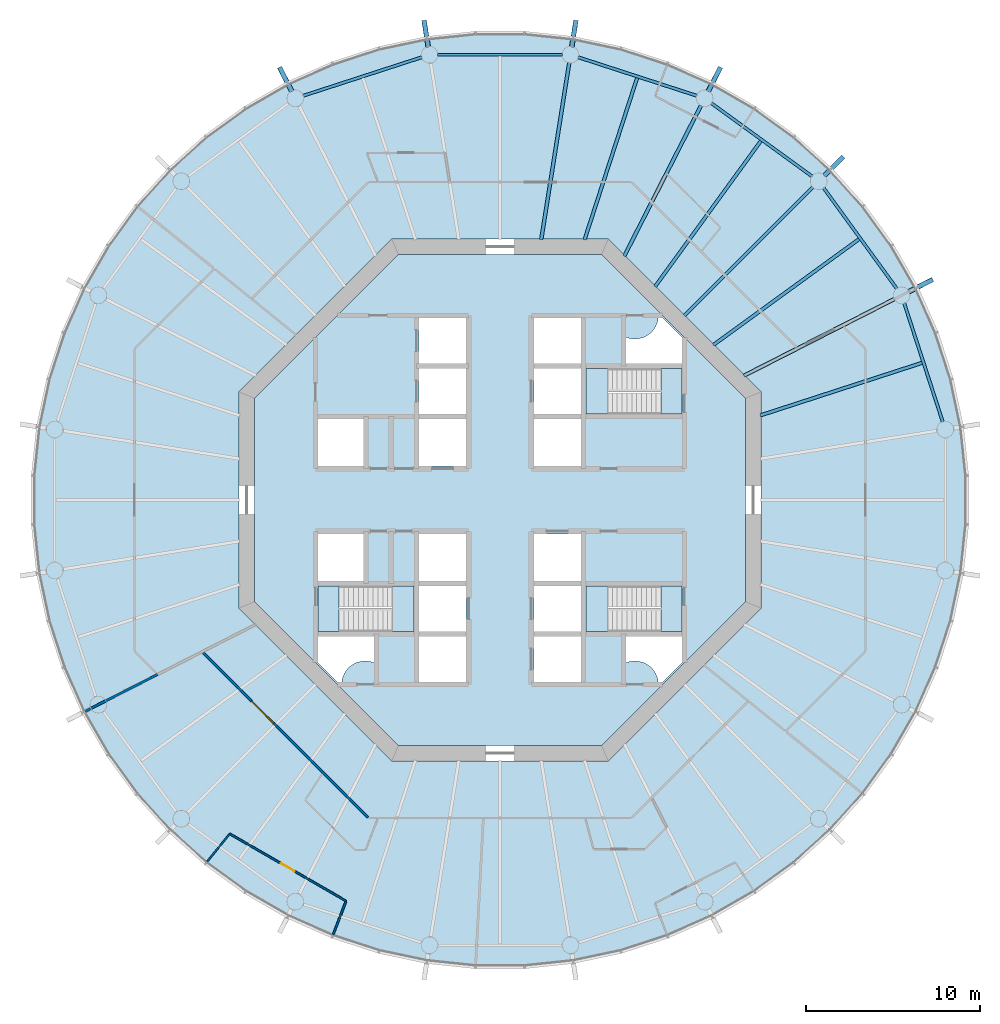
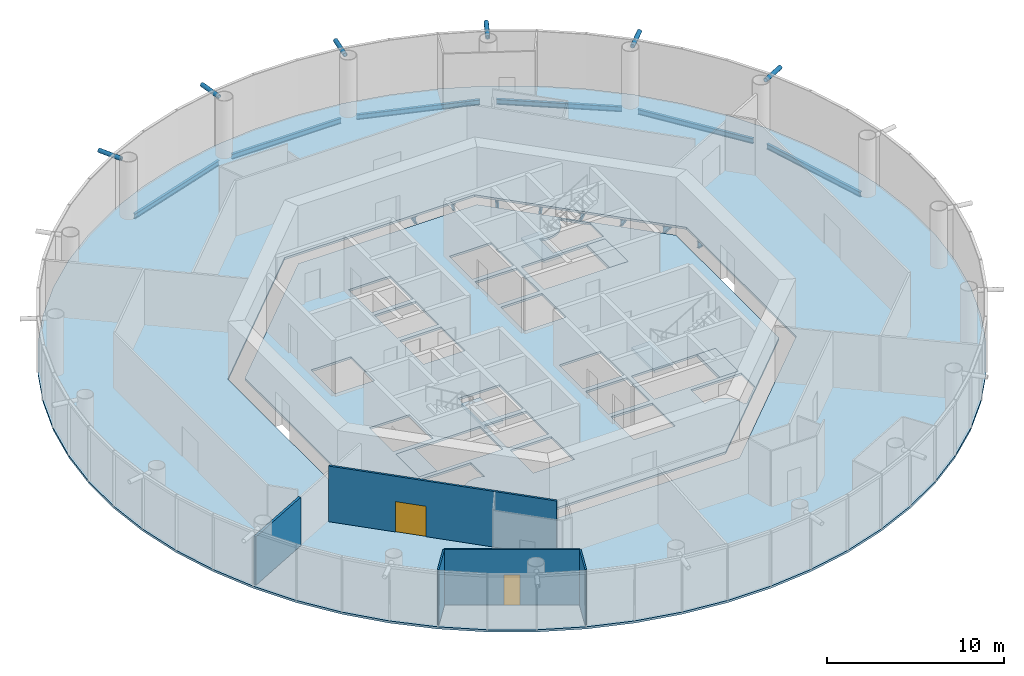
# One storey, part 2 of 13: 14 beams, 8 slabs, 6 members, 5 walls, 2 doors, 2 openings, 3 elements without a shape of their own.
"""IFC4 building model written with IfcOpenShell, lengths in metres."""

from ifc_helpers import new_model, si_unit, direction, frame, frame_2d, origin, origin_2d, place, context, subcontext, project, spatial, polyline, rectangle, circle, hollow_circle, i_section, outline, extrude, material, layer, layer_set, material_profile, profile_set, type_object, element, fill, aggregate, save


model = new_model("IFC4")

# Units and contexts
model_context = context("Model", 3, precision=1e-05, world=origin(), true_north=direction((0.0, 1.0)))
body_context = subcontext(model_context, "Body", "Model", "MODEL_VIEW")
ifc_project = project(units=[si_unit("LENGTHUNIT", "METRE"), si_unit("AREAUNIT", "SQUARE_METRE"), si_unit("VOLUMEUNIT", "CUBIC_METRE"), si_unit("PLANEANGLEUNIT", "RADIAN"), si_unit("MASSUNIT", "GRAM", prefix="KILO")], contexts=[model_context])

# Site, building, storey
site_placement = place(None, origin())
site = spatial("IfcSite", under=ifc_project, at=site_placement, CompositionType="ELEMENT")
building_placement = place(site_placement, origin())
building = spatial("IfcBuilding", under=site, at=building_placement, Name="Entoto Ring Tower", CompositionType="ELEMENT")
storey_placement = place(building_placement, frame((0.0, 0.0, 258.0)))
storey = spatial("IfcBuildingStorey", under=building, at=storey_placement, Name="L59", CompositionType="ELEMENT", Elevation=258.0)

# Members
ifc_material_1 = material(Name="Steel S355", Category="steel")
ifc_material_profile_1 = material_profile(ifc_material_1, hollow_circle(Radius=0.136474609375, WallThickness=0.012451171875, at=origin_2d()), Name="CHS 273 x 12.5")
ifc_material_2 = material(Name="Concrete C60/75", Category="concrete")
ifc_material_profile_2 = material_profile(ifc_material_2, circle(Radius=0.1240234375, at=origin_2d()), Name="Concrete C60/75 infill")
ifc_profile_set_1 = profile_set([ifc_material_profile_1, ifc_material_profile_2], Name="Steel S355")
member_type = type_object("IfcMemberType", Name="Diagrid node strut 273 x 12.5", PredefinedType="STRUT", material=ifc_profile_set_1)
member_1_placement = place(storey_placement, frame((113.48779296875, 91.967529296875, 3.71337890625), z_axis=(0.891006809714, 0.453989939363, 0.0), x_axis=(-0.453989939363, 0.891006809714, 0.0)))
element("IfcMember", 1, at=member_1_placement, inside=storey, type_object=member_type, Name="DS2 strut ring 19 01", PredefinedType="STRUT", context=body_context, shape_type="SweptSolid", body=[
    extrude(hollow_circle(Radius=0.136474609375, WallThickness=0.012451171875, at=origin_2d()), origin(), (0.0, 0.0, 1.0), 1.5390625),
])
member_2_placement = place(storey_placement, frame((108.639892578125, 98.639892578125, 3.71337890625), z_axis=(0.707106781187, 0.707106781187, 0.0), x_axis=(-0.707106781187, 0.707106781187, 0.0)))
element("IfcMember", 2, at=member_2_placement, inside=storey, type_object=member_type, Name="DS2 strut ring 19 02", PredefinedType="STRUT", context=body_context, shape_type="SweptSolid", body=[
    extrude(hollow_circle(Radius=0.136474609375, WallThickness=0.012451171875, at=origin_2d()), origin(), (0.0, 0.0, 1.0), 1.539306640625),
])
for number, where, z_axis, x_axis, name in (
    (3, (101.967529296875, 103.48779296875, 3.71337890625), (0.453989939363, 0.891006809714, 0.0), (-0.891006809714, 0.453989939363, 0.0), "DS2 strut ring 19 03"),
    (4, (94.123779296875, 106.036376953125, 3.71337890625), (0.156418753192, 0.987690828979, 0.0), (-0.987690828979, 0.156418753192, 0.0), "DS2 strut ring 19 04"),
    (5, (85.876220703125, 106.036376953125, 3.71337890625), (-0.156418753192, 0.987690828979, 0.0), (-0.987690828979, -0.156418753192, 0.0), "DS2 strut ring 19 05"),
    (6, (78.032470703125, 103.48779296875, 3.71337890625), (-0.453989939363, 0.891006809714, 0.0), (-0.891006809714, -0.453989939363, 0.0), "DS2 strut ring 19 06"),
):
    element("IfcMember", number, at=place(storey_placement, frame(where, z_axis=z_axis, x_axis=x_axis)), inside=storey, type_object=member_type, Name=name, PredefinedType="STRUT", context=body_context, shape_type="SweptSolid", body=[
        extrude(hollow_circle(Radius=0.136474609375, WallThickness=0.012451171875, at=origin_2d()), origin(), (0.0, 0.0, 1.0), 1.5390625),
    ])

# Beams
ifc_material_3 = material(Name="Steel S355", Category="steel")
ifc_material_profile_3 = material_profile(ifc_material_3, i_section(OverallWidth=0.169921875, OverallDepth=0.360107421875, WebThickness=0.008056640625, FlangeThickness=0.0126953125, FilletRadius=0.01806640625, at=origin_2d()), Name="IPE 360")
ifc_profile_set_2 = profile_set([ifc_material_profile_3], Name="Steel S355")
beam_type_1 = type_object("IfcBeamType", Name="Edge beam IPE 360", PredefinedType="SPANDREL", material=ifc_profile_set_2)
beam_1_placement = place(storey_placement, frame((115.43505859375, 84.501220703125, -0.330078125), z_axis=(-0.309015118354, 0.951057125849, 0.0), x_axis=(-0.951057125849, -0.309015118354, 0.0)))
element("IfcBeam", 7, at=beam_1_placement, inside=storey, type_object=beam_type_1, Name="Edge beam L59 01", PredefinedType="SPANDREL", context=body_context, shape_type="SweptSolid", body=[
    extrude(i_section(OverallWidth=0.169921875, OverallDepth=0.360107421875, WebThickness=0.008056640625, FlangeThickness=0.0126953125, FilletRadius=0.01806640625, at=origin_2d()), origin(), (0.0, 0.0, 1.0), 7.157958984375),
])
for number, where, z_axis, x_axis, name in (
    (8, (112.79931640625, 92.140625, -0.330078125), (-0.587794432314, 0.809010324619, 0.0), (-0.809010324619, -0.587794432314, 0.0), "Edge beam L59 02"),
    (9, (107.931640625, 98.591796875, -0.330078125), (-0.809010324619, 0.587794432314, 0.0), (-0.587794432314, -0.809010324619, 0.0), "Edge beam L59 03"),
):
    element("IfcBeam", number, at=place(storey_placement, frame(where, z_axis=z_axis, x_axis=x_axis)), inside=storey, type_object=beam_type_1, Name=name, PredefinedType="SPANDREL", context=body_context, shape_type="SweptSolid", body=[
        extrude(i_section(OverallWidth=0.169921875, OverallDepth=0.360107421875, WebThickness=0.008056640625, FlangeThickness=0.0126953125, FilletRadius=0.01806640625, at=origin_2d()), origin(), (0.0, 0.0, 1.0), 7.158203125),
    ])
beam_2_placement = place(storey_placement, frame((101.308837890625, 103.22314453125, -0.330078125), z_axis=(-0.951057125849, 0.309015118354, 0.0), x_axis=(-0.309015118354, -0.951057125849, 0.0)))
element("IfcBeam", 10, at=beam_2_placement, inside=storey, type_object=beam_type_1, Name="Edge beam L59 04", PredefinedType="SPANDREL", context=body_context, shape_type="SweptSolid", body=[
    extrude(i_section(OverallWidth=0.169921875, OverallDepth=0.360107421875, WebThickness=0.008056640625, FlangeThickness=0.0126953125, FilletRadius=0.01806640625, at=origin_2d()), origin(), (0.0, 0.0, 1.0), 7.157958984375),
])
beam_3_placement = place(storey_placement, frame((93.5791015625, 105.5810546875, -0.330078125), z_axis=(-1.0, 0.0, 0.0), x_axis=(0.0, -1.0, 0.0)))
element("IfcBeam", 11, at=beam_3_placement, inside=storey, type_object=beam_type_1, Name="Edge beam L59 05", PredefinedType="SPANDREL", context=body_context, shape_type="SweptSolid", body=[
    extrude(i_section(OverallWidth=0.169921875, OverallDepth=0.360107421875, WebThickness=0.008056640625, FlangeThickness=0.0126953125, FilletRadius=0.01806640625, at=origin_2d()), origin(), (0.0, 0.0, 1.0), 7.158203125),
])
beam_4_placement = place(storey_placement, frame((85.498779296875, 105.43505859375, -0.330078125), z_axis=(-0.951057125849, -0.309015118354, 0.0), x_axis=(0.309015118354, -0.951057125849, 0.0)))
element("IfcBeam", 12, at=beam_4_placement, inside=storey, type_object=beam_type_1, Name="Edge beam L59 06", PredefinedType="SPANDREL", context=body_context, shape_type="SweptSolid", body=[
    extrude(i_section(OverallWidth=0.169921875, OverallDepth=0.360107421875, WebThickness=0.008056640625, FlangeThickness=0.0126953125, FilletRadius=0.01806640625, at=origin_2d()), origin(), (0.0, 0.0, 1.0), 7.157958984375),
])
ifc_material_4 = material(Name="Steel S355", Category="steel")
ifc_material_profile_4 = material_profile(ifc_material_4, i_section(OverallWidth=0.199951171875, OverallDepth=0.5, WebThickness=0.01025390625, FlangeThickness=0.01611328125, FilletRadius=0.02099609375, at=origin_2d()), Name="IPE 500")
ifc_profile_set_3 = profile_set([ifc_material_profile_4], Name="Steel S355")
beam_type_2 = type_object("IfcBeamType", Name="Primary floor beam IPE 500", PredefinedType="BEAM", material=ifc_profile_set_3)
beam_5_placement = place(storey_placement, frame((104.006103515625, 87.136474609375, -0.39990234375), z_axis=(0.891012442297, 0.45397888461, 0.0), x_axis=(-0.45397888461, 0.891012442297, 0.0)))
element("IfcBeam", 13, at=beam_5_placement, inside=storey, type_object=beam_type_2, Name="Primary L59 R02", PredefinedType="BEAM", context=body_context, shape_type="SweptSolid", body=[
    extrude(i_section(OverallWidth=0.199951171875, OverallDepth=0.5, WebThickness=0.01025390625, FlangeThickness=0.01611328125, FilletRadius=0.02099609375, at=origin_2d()), origin(), (0.0, 0.0, 1.0), 9.710693359375),
])
beam_6_placement = place(storey_placement, frame((100.592529296875, 90.592529296875, -0.39990234375), z_axis=(0.707106781187, 0.707106781187, 0.0), x_axis=(-0.707106781187, 0.707106781187, 0.0)))
element("IfcBeam", 14, at=beam_6_placement, inside=storey, type_object=beam_type_2, Name="Primary L59 R03", PredefinedType="BEAM", context=body_context, shape_type="SweptSolid", body=[
    extrude(i_section(OverallWidth=0.199951171875, OverallDepth=0.5, WebThickness=0.01025390625, FlangeThickness=0.01611328125, FilletRadius=0.02099609375, at=origin_2d()), origin(), (0.0, 0.0, 1.0), 10.4501953125),
])
beam_7_placement = place(storey_placement, frame((97.136474609375, 94.006103515625, -0.39990234375), z_axis=(0.45397888461, 0.891012442297, 0.0), x_axis=(-0.891012442297, 0.45397888461, 0.0)))
element("IfcBeam", 15, at=beam_7_placement, inside=storey, type_object=beam_type_2, Name="Primary L59 R04", PredefinedType="BEAM", context=body_context, shape_type="SweptSolid", body=[
    extrude(i_section(OverallWidth=0.199951171875, OverallDepth=0.5, WebThickness=0.01025390625, FlangeThickness=0.01611328125, FilletRadius=0.02099609375, at=origin_2d()), origin(), (0.0, 0.0, 1.0), 9.710693359375),
])
beam_8_placement = place(storey_placement, frame((92.3701171875, 94.964599609375, -0.39990234375), z_axis=(0.156451644281, 0.987685619518, 0.0), x_axis=(-0.987685619518, 0.156451644281, 0.0)))
element("IfcBeam", 16, at=beam_8_placement, inside=storey, type_object=beam_type_2, Name="Primary L59 R05", PredefinedType="BEAM", context=body_context, shape_type="SweptSolid", body=[
    extrude(i_section(OverallWidth=0.199951171875, OverallDepth=0.5, WebThickness=0.01025390625, FlangeThickness=0.01611328125, FilletRadius=0.02099609375, at=origin_2d()), origin(), (0.0, 0.0, 1.0), 10.27880859375),
])
ifc_material_5 = material(Name="Steel S355", Category="steel")
ifc_material_profile_5 = material_profile(ifc_material_5, i_section(OverallWidth=0.18994140625, OverallDepth=0.449951171875, WebThickness=0.009521484375, FlangeThickness=0.0146484375, FilletRadius=0.02099609375, at=origin_2d()), Name="IPE 450")
ifc_profile_set_4 = profile_set([ifc_material_profile_5], Name="Steel S355")
beam_type_3 = type_object("IfcBeamType", Name="Secondary floor beam IPE 450", PredefinedType="JOIST", material=ifc_profile_set_4)
beam_9_placement = place(storey_placement, frame((104.95166015625, 84.858154296875, -0.375), z_axis=(0.951061045963, 0.309003053144, 0.0), x_axis=(-0.309003053144, 0.951061045963, 0.0)))
element("IfcBeam", 17, at=beam_9_placement, inside=storey, type_object=beam_type_3, Name="Secondary beam L59 01", PredefinedType="JOIST", context=body_context, shape_type="SweptSolid", body=[
    extrude(i_section(OverallWidth=0.18994140625, OverallDepth=0.449951171875, WebThickness=0.009521484375, FlangeThickness=0.0146484375, FilletRadius=0.02099609375, at=origin_2d()), origin(), (0.0, 0.0, 1.0), 9.77490234375),
])
for number, where, z_axis, x_axis, name in (
    (18, (102.258056640625, 88.906005859375, -0.375), (0.809010538485, 0.58779413796, 0.0), (-0.58779413796, 0.809010538485, 0.0), "Secondary beam L59 02"),
    (19, (98.906005859375, 92.258056640625, -0.375), (0.58779413796, 0.809010538485, 0.0), (-0.809010538485, 0.58779413796, 0.0), "Secondary beam L59 03"),
):
    element("IfcBeam", number, at=place(storey_placement, frame(where, z_axis=z_axis, x_axis=x_axis)), inside=storey, type_object=beam_type_3, Name=name, PredefinedType="JOIST", context=body_context, shape_type="SweptSolid", body=[
        extrude(i_section(OverallWidth=0.18994140625, OverallDepth=0.449951171875, WebThickness=0.009521484375, FlangeThickness=0.0146484375, FilletRadius=0.02099609375, at=origin_2d()), origin(), (0.0, 0.0, 1.0), 10.34423828125),
    ])
beam_10_placement = place(storey_placement, frame((94.858154296875, 94.95166015625, -0.375), z_axis=(0.309003053144, 0.951061045963, 0.0), x_axis=(-0.951061045963, 0.309003053144, 0.0)))
element("IfcBeam", 20, at=beam_10_placement, inside=storey, type_object=beam_type_3, Name="Secondary beam L59 04", PredefinedType="JOIST", context=body_context, shape_type="SweptSolid", body=[
    extrude(i_section(OverallWidth=0.18994140625, OverallDepth=0.449951171875, WebThickness=0.009521484375, FlangeThickness=0.0146484375, FilletRadius=0.02099609375, at=origin_2d()), origin(), (0.0, 0.0, 1.0), 9.77490234375),
])

# Slabs
ifc_material_6 = material(Name="Concrete C30/37", Category="concrete")
ifc_layer_1 = layer(ifc_material_6, 0.14990234375)
ifc_layer_set_1 = layer_set([ifc_layer_1], Name="Concrete C30/37")
slab_type_1 = type_object("IfcSlabType", Name="Composite floor slab 150 mm", PredefinedType="FLOOR", material=ifc_layer_set_1)
slab_1_placement = place(storey_placement, frame((0.0, 0.0, -0.14990234375)))
element("IfcSlab", 21, at=slab_1_placement, inside=storey, type_object=slab_type_1, Name="Floor slab L59", PredefinedType="FLOOR", context=body_context, shape_type="SweptSolid", body=[
    extrude(outline(polyline([(116.56884765625, 84.2080078125), (115.9833984375, 86.962158203125), (115.11328125, 89.64013671875), (113.968017578125, 92.21240234375), (112.560302734375, 94.65087890625), (110.9052734375, 96.9287109375), (109.021240234375, 99.021240234375), (106.9287109375, 100.9052734375), (104.65087890625, 102.560302734375), (102.21240234375, 103.968017578125), (99.64013671875, 105.11328125), (96.962158203125, 105.9833984375), (94.2080078125, 106.56884765625), (91.407958984375, 106.863037109375), (88.592041015625, 106.863037109375), (85.7919921875, 106.56884765625), (83.037841796875, 105.9833984375), (80.35986328125, 105.11328125), (77.78759765625, 103.968017578125), (75.34912109375, 102.560302734375), (73.0712890625, 100.9052734375), (70.978759765625, 99.021240234375), (69.0947265625, 96.9287109375), (67.439697265625, 94.65087890625), (66.031982421875, 92.21240234375), (64.88671875, 89.64013671875), (64.0166015625, 86.962158203125), (63.43115234375, 84.2080078125), (63.136962890625, 81.407958984375), (63.136962890625, 78.592041015625), (63.43115234375, 75.7919921875), (64.0166015625, 73.037841796875), (64.88671875, 70.35986328125), (66.031982421875, 67.78759765625), (67.439697265625, 65.34912109375), (69.0947265625, 63.0712890625), (70.978759765625, 60.978759765625), (73.0712890625, 59.0947265625), (75.34912109375, 57.439697265625), (77.78759765625, 56.031982421875), (80.35986328125, 54.88671875), (83.037841796875, 54.0166015625), (85.7919921875, 53.43115234375), (88.592041015625, 53.136962890625), (91.407958984375, 53.136962890625), (94.2080078125, 53.43115234375), (96.962158203125, 54.0166015625), (99.64013671875, 54.88671875), (102.21240234375, 56.031982421875), (104.65087890625, 57.439697265625), (106.9287109375, 59.0947265625), (109.021240234375, 60.978759765625), (110.9052734375, 63.0712890625), (112.560302734375, 65.34912109375), (113.968017578125, 67.78759765625), (115.11328125, 70.35986328125), (115.9833984375, 73.037841796875), (116.56884765625, 75.7919921875), (116.863037109375, 78.592041015625), (116.863037109375, 81.407958984375), (116.56884765625, 84.2080078125)]), holes=[polyline([(105.0, 73.786865234375), (105.0, 86.213134765625), (96.213134765625, 95.0), (83.786865234375, 95.0), (75.0, 86.213134765625), (75.0, 73.786865234375), (83.786865234375, 65.0), (96.213134765625, 65.0), (105.0, 73.786865234375)])]), origin(), (0.0, 0.0, 1.0), 0.14990234375),
])
ifc_material_7 = material(Name="Concrete C40/50", Category="concrete")
ifc_layer_2 = layer(ifc_material_7, 0.14990234375)
ifc_layer_set_2 = layer_set([ifc_layer_2], Name="Concrete C40/50")
slab_type_2 = type_object("IfcSlabType", Name="Core floor slab 150 mm reinforced concrete C40/50", PredefinedType="FLOOR", material=ifc_layer_set_2)
slab_2_placement = place(storey_placement, frame((0.0, 0.0, -0.14990234375)))
element("IfcSlab", 22, at=slab_2_placement, inside=storey, type_object=slab_type_2, Name="Core floor L59", PredefinedType="FLOOR", context=body_context, shape_type="SweptSolid", body=[
    extrude(outline(polyline([(104.10009765625, 74.15966796875), (104.10009765625, 85.84033203125), (95.84033203125, 94.10009765625), (84.15966796875, 94.10009765625), (75.89990234375, 85.84033203125), (75.89990234375, 74.15966796875), (84.15966796875, 65.89990234375), (95.84033203125, 65.89990234375), (104.10009765625, 74.15966796875)]), holes=[polyline([(100.449951171875, 84.949951171875), (100.449951171875, 87.550048828125), (94.949951171875, 87.550048828125), (94.949951171875, 84.949951171875), (100.449951171875, 84.949951171875)]), polyline([(85.050048828125, 72.449951171875), (85.050048828125, 75.050048828125), (79.550048828125, 75.050048828125), (79.550048828125, 72.449951171875), (85.050048828125, 72.449951171875)]), polyline([(100.449951171875, 72.449951171875), (100.449951171875, 75.050048828125), (94.949951171875, 75.050048828125), (94.949951171875, 72.449951171875), (100.449951171875, 72.449951171875)]), polyline([(91.949951171875, 84.949951171875), (94.64990234375, 84.949951171875), (94.64990234375, 87.550048828125), (91.949951171875, 87.550048828125), (91.949951171875, 84.949951171875)]), polyline([(91.949951171875, 72.449951171875), (94.64990234375, 72.449951171875), (94.64990234375, 75.050048828125), (91.949951171875, 75.050048828125), (91.949951171875, 72.449951171875)]), polyline([(91.949951171875, 69.550048828125), (94.64990234375, 69.550048828125), (94.64990234375, 72.14990234375), (91.949951171875, 72.14990234375), (91.949951171875, 69.550048828125)]), polyline([(85.35009765625, 72.449951171875), (88.050048828125, 72.449951171875), (88.050048828125, 75.050048828125), (85.35009765625, 75.050048828125), (85.35009765625, 72.449951171875)]), polyline([(85.35009765625, 81.949951171875), (88.050048828125, 81.949951171875), (88.050048828125, 84.64990234375), (85.35009765625, 84.64990234375), (85.35009765625, 81.949951171875)]), polyline([(91.949951171875, 75.35009765625), (94.64990234375, 75.35009765625), (94.64990234375, 78.050048828125), (91.949951171875, 78.050048828125), (91.949951171875, 75.35009765625)]), polyline([(79.550048828125, 81.949951171875), (82.14990234375, 81.949951171875), (82.14990234375, 84.64990234375), (79.550048828125, 84.64990234375), (79.550048828125, 81.949951171875)]), polyline([(79.550048828125, 75.35009765625), (82.14990234375, 75.35009765625), (82.14990234375, 78.050048828125), (79.550048828125, 78.050048828125), (79.550048828125, 75.35009765625)]), polyline([(91.949951171875, 87.85009765625), (94.64990234375, 87.85009765625), (94.64990234375, 90.449951171875), (91.949951171875, 90.449951171875), (91.949951171875, 87.85009765625)]), polyline([(85.35009765625, 69.550048828125), (88.050048828125, 69.550048828125), (88.050048828125, 72.14990234375), (85.35009765625, 72.14990234375), (85.35009765625, 69.550048828125)]), polyline([(91.949951171875, 81.949951171875), (94.64990234375, 81.949951171875), (94.64990234375, 84.64990234375), (91.949951171875, 84.64990234375), (91.949951171875, 81.949951171875)]), polyline([(85.35009765625, 75.35009765625), (88.050048828125, 75.35009765625), (88.050048828125, 78.050048828125), (85.35009765625, 78.050048828125), (85.35009765625, 75.35009765625)]), polyline([(85.35009765625, 84.949951171875), (88.050048828125, 84.949951171875), (88.050048828125, 87.550048828125), (85.35009765625, 87.550048828125), (85.35009765625, 84.949951171875)]), polyline([(85.35009765625, 87.85009765625), (88.050048828125, 87.85009765625), (88.050048828125, 90.449951171875), (85.35009765625, 90.449951171875), (85.35009765625, 87.85009765625)]), polyline([(97.199951171875, 89.368408203125), (97.199951171875, 87.800048828125), (100.5, 87.800048828125), (100.5, 89.299072265625), (99.299072265625, 90.5), (99.09521484375, 90.5), (99.093505859375, 90.4677734375), (99.07421875, 90.336669921875), (99.0419921875, 90.2080078125), (98.997314453125, 90.08349609375), (98.940673828125, 89.963623046875), (98.87255859375, 89.85009765625), (98.793701171875, 89.74365234375), (98.70458984375, 89.6455078125), (98.6064453125, 89.556396484375), (98.5, 89.4775390625), (98.386474609375, 89.409423828125), (98.2666015625, 89.352783203125), (98.141845703125, 89.30810546875), (98.013427734375, 89.27587890625), (97.88232421875, 89.256591796875), (97.75, 89.25), (97.61767578125, 89.256591796875), (97.486572265625, 89.27587890625), (97.358154296875, 89.30810546875), (97.2333984375, 89.352783203125), (97.199951171875, 89.368408203125)]), polyline([(80.700927734375, 69.5), (80.90478515625, 69.5), (80.906494140625, 69.5322265625), (80.92578125, 69.663330078125), (80.9580078125, 69.7919921875), (81.002685546875, 69.91650390625), (81.059326171875, 70.036376953125), (81.12744140625, 70.14990234375), (81.206298828125, 70.25634765625), (81.29541015625, 70.3544921875), (81.3935546875, 70.443603515625), (81.5, 70.5224609375), (81.613525390625, 70.590576171875), (81.7333984375, 70.647216796875), (81.858154296875, 70.69189453125), (81.986572265625, 70.72412109375), (82.11767578125, 70.743408203125), (82.25, 70.75), (82.38232421875, 70.743408203125), (82.513427734375, 70.72412109375), (82.641845703125, 70.69189453125), (82.7666015625, 70.647216796875), (82.800048828125, 70.631591796875), (82.800048828125, 72.199951171875), (79.5, 72.199951171875), (79.5, 70.700927734375), (80.700927734375, 69.5)]), polyline([(99.09521484375, 69.5), (99.299072265625, 69.5), (100.5, 70.700927734375), (100.5, 72.199951171875), (97.199951171875, 72.199951171875), (97.199951171875, 70.631591796875), (97.2333984375, 70.647216796875), (97.358154296875, 70.69189453125), (97.486572265625, 70.72412109375), (97.61767578125, 70.743408203125), (97.75, 70.75), (97.88232421875, 70.743408203125), (98.013427734375, 70.72412109375), (98.141845703125, 70.69189453125), (98.2666015625, 70.647216796875), (98.386474609375, 70.590576171875), (98.5, 70.5224609375), (98.6064453125, 70.443603515625), (98.70458984375, 70.3544921875), (98.793701171875, 70.25634765625), (98.87255859375, 70.14990234375), (98.940673828125, 70.036376953125), (98.997314453125, 69.91650390625), (99.0419921875, 69.7919921875), (99.07421875, 69.663330078125), (99.093505859375, 69.5322265625), (99.09521484375, 69.5)])]), origin(), (0.0, 0.0, 1.0), 0.14990234375),
])

# Stair, slabs
ifc_material_8 = material(Name="Concrete C40/50", Category="concrete")
stair_type = type_object("IfcStairType", Name="Exit stair 1200 mm dog-leg reinforced concrete", PredefinedType="HALF_TURN_STAIR", material=ifc_material_8)
stair_1_placement = place(storey_placement, origin())
stair_1 = element("IfcStair", 23, at=stair_1_placement, inside=storey, type_object=stair_type, Name="Exit stair 1", PredefinedType="HALF_TURN_STAIR")
ifc_material_9 = material(Name="Concrete C40/50", Category="concrete")
ifc_layer_3 = layer(ifc_material_9, 0.199951171875)
ifc_layer_set_3 = layer_set([ifc_layer_3], Name="Concrete C40/50")
slab_type_3 = type_object("IfcSlabType", Name="Stair landing 200 mm reinforced concrete", PredefinedType="LANDING", material=ifc_layer_set_3)
slab_3_placement = place(storey_placement, frame((0.0, 0.0, -0.199951171875)))
slab_3 = element("IfcSlab", 24, at=slab_3_placement, type_object=slab_type_3, Name="ST1 landing 1", PredefinedType="LANDING", context=body_context, shape_type="SweptSolid", body=[
    extrude(outline(polyline([(100.449951171875, 84.949951171875), (100.449951171875, 87.550048828125), (99.25, 87.550048828125), (99.25, 84.949951171875), (100.449951171875, 84.949951171875)])), origin(), (0.0, 0.0, 1.0), 0.199951171875),
])
slab_4_placement = place(storey_placement, frame((0.0, 0.0, 1.800048828125)))
slab_4 = element("IfcSlab", 25, at=slab_4_placement, type_object=slab_type_3, Name="ST1 landing 2", PredefinedType="LANDING", context=body_context, shape_type="SweptSolid", body=[
    extrude(outline(polyline([(94.949951171875, 84.949951171875), (96.169921875, 84.949951171875), (96.169921875, 87.550048828125), (94.949951171875, 87.550048828125), (94.949951171875, 84.949951171875)])), origin(), (0.0, 0.0, 1.0), 0.199951171875),
])
aggregate(stair_1, [slab_3, slab_4])

stair_2_placement = place(storey_placement, origin())
stair_2 = element("IfcStair", 26, at=stair_2_placement, inside=storey, type_object=stair_type, Name="Exit stair 2", PredefinedType="HALF_TURN_STAIR")
slab_5_placement = place(storey_placement, frame((0.0, 0.0, -0.199951171875)))
slab_5 = element("IfcSlab", 27, at=slab_5_placement, type_object=slab_type_3, Name="ST2 landing 1", PredefinedType="LANDING", context=body_context, shape_type="SweptSolid", body=[
    extrude(outline(polyline([(80.75, 72.449951171875), (80.75, 75.050048828125), (79.550048828125, 75.050048828125), (79.550048828125, 72.449951171875), (80.75, 72.449951171875)])), origin(), (0.0, 0.0, 1.0), 0.199951171875),
])
slab_6_placement = place(storey_placement, frame((0.0, 0.0, 1.800048828125)))
slab_6 = element("IfcSlab", 28, at=slab_6_placement, type_object=slab_type_3, Name="ST2 landing 2", PredefinedType="LANDING", context=body_context, shape_type="SweptSolid", body=[
    extrude(outline(polyline([(83.830078125, 72.449951171875), (85.050048828125, 72.449951171875), (85.050048828125, 75.050048828125), (83.830078125, 75.050048828125), (83.830078125, 72.449951171875)])), origin(), (0.0, 0.0, 1.0), 0.199951171875),
])
aggregate(stair_2, [slab_5, slab_6])

stair_3_placement = place(storey_placement, origin())
stair_3 = element("IfcStair", 29, at=stair_3_placement, inside=storey, type_object=stair_type, Name="Exit stair 3", PredefinedType="HALF_TURN_STAIR")
slab_7_placement = place(storey_placement, frame((0.0, 0.0, -0.199951171875)))
slab_7 = element("IfcSlab", 30, at=slab_7_placement, type_object=slab_type_3, Name="ST3 landing 1", PredefinedType="LANDING", context=body_context, shape_type="SweptSolid", body=[
    extrude(outline(polyline([(100.449951171875, 72.449951171875), (100.449951171875, 75.050048828125), (99.25, 75.050048828125), (99.25, 72.449951171875), (100.449951171875, 72.449951171875)])), origin(), (0.0, 0.0, 1.0), 0.199951171875),
])
slab_8_placement = place(storey_placement, frame((0.0, 0.0, 1.800048828125)))
slab_8 = element("IfcSlab", 31, at=slab_8_placement, type_object=slab_type_3, Name="ST3 landing 2", PredefinedType="LANDING", context=body_context, shape_type="SweptSolid", body=[
    extrude(outline(polyline([(94.949951171875, 72.449951171875), (96.169921875, 72.449951171875), (96.169921875, 75.050048828125), (94.949951171875, 75.050048828125), (94.949951171875, 72.449951171875)])), origin(), (0.0, 0.0, 1.0), 0.199951171875),
])
aggregate(stair_3, [slab_7, slab_8])

# Wall, opening, door
ifc_material_10 = material(Name="Fire-resisting plasterboard on steel studs", Category="steel")
ifc_layer_4 = layer(ifc_material_10, 0.125)
ifc_layer_set_4 = layer_set([ifc_layer_4], Name="Fire-resisting plasterboard on steel studs")
wall_type_1 = type_object("IfcWallType", Name="Corridor wall 125 mm one-hour plasterboard on steel studs", PredefinedType="PARTITIONING", material=ifc_layer_set_4)
wall_1_placement = place(storey_placement, frame((82.404296875, 61.7685546875, 0.0), z_axis=(0.0, 0.0, 1.0), x_axis=(-0.707097649982, 0.707115912273, 0.0)))
wall_1 = element("IfcWall", 32, at=wall_1_placement, inside=storey, type_object=wall_type_1, Name="partition-L59-005", PredefinedType="PARTITIONING", context=body_context, shape_type="SweptSolid", body=[
    extrude(rectangle(XDim=13.36865234375, YDim=0.125, at=frame_2d((6.684326171875, 0.0))), origin(), (0.0, 0.0, 1.0), 3.85009765625),
])
opening_1_placement = place(wall_1_placement, frame((7.646484375, 0.0, 0.0)))
opening_1 = element("IfcOpeningElement", 33, at=opening_1_placement, cuts=wall_1, Name="Opening A25-D08", PredefinedType="OPENING", context=body_context, shape_type="SweptSolid", body=[
    extrude(rectangle(XDim=1.800048828125, YDim=2.10009765625, at=frame_2d((0.89990234375, 1.050048828125))), frame((0.0, 0.072509765625, 0.0), z_axis=(0.0, -1.0, 0.0), x_axis=(1.0, 0.0, 0.0)), (0.0, 0.0, 1.0), 0.14501953125),
])
ifc_material_11 = material(Name="Fire-resisting timber door set", Category="wood")
door_type_1 = type_object("IfcDoorType", Name="Door 1800 x 2100 double leaf FD30S fire door", OperationType="DOUBLE_DOOR_SINGLE_SWING", PredefinedType="DOOR", material=ifc_material_11)
door_1_placement = place(opening_1_placement, origin())
door_1 = element("IfcDoor", 34, at=door_1_placement, inside=storey, type_object=door_type_1, Name="Door A25-D08", OperationType="DOUBLE_DOOR_SINGLE_SWING", OverallHeight=2.10009765625, OverallWidth=1.800048828125, PredefinedType="DOOR", context=body_context, shape_type="SweptSolid", body=[
    extrude(rectangle(XDim=1.800048828125, YDim=2.10009765625, at=frame_2d((0.89990234375, 1.050048828125))), frame((0.0, 0.02490234375, 0.0), z_axis=(0.0, -1.0, 0.0), x_axis=(1.0, 0.0, 0.0)), (0.0, 0.0, 1.0), 0.050048828125),
])
fill(opening_1, door_1)

ifc_material_12 = material(Name="Plasterboard on steel studs", Category="steel")
ifc_layer_5 = layer(ifc_material_12, 0.10009765625)
ifc_layer_set_5 = layer_set([ifc_layer_5], Name="Plasterboard on steel studs")
wall_type_2 = type_object("IfcWallType", Name="Partition 100 mm plasterboard on steel studs", PredefinedType="PARTITIONING", material=ifc_layer_set_5)
wall_2_placement = place(storey_placement, frame((81.155517578125, 56.959228515625, 0.0), z_axis=(0.0, 0.0, 1.0), x_axis=(-0.866020254168, 0.500008919292, 0.0)))
wall_2 = element("IfcWall", 35, at=wall_2_placement, inside=storey, type_object=wall_type_2, Name="partition-L59-022", PredefinedType="PARTITIONING", context=body_context, shape_type="SweptSolid", body=[
    extrude(rectangle(XDim=7.721435546875, YDim=0.10009765625, at=frame_2d((3.86083984375, 0.0))), origin(), (0.0, 0.0, 1.0), 3.85009765625),
])
opening_2_placement = place(wall_2_placement, frame((3.410888671875, 0.0, 0.0)))
opening_2 = element("IfcOpeningElement", 36, at=opening_2_placement, cuts=wall_2, Name="Opening A25-D10", PredefinedType="OPENING", context=body_context, shape_type="SweptSolid", body=[
    extrude(rectangle(XDim=0.89990234375, YDim=2.10009765625, at=frame_2d((0.449951171875, 1.050048828125))), frame((0.0, 0.06005859375, 0.0), z_axis=(0.0, -1.0, 0.0), x_axis=(1.0, 0.0, 0.0)), (0.0, 0.0, 1.0), 0.1201171875),
])
ifc_material_13 = material(Name="Veneered timber door leaf in timber frame", Category="wood")
door_type_2 = type_object("IfcDoorType", Name="Door 900 x 2100 single leaf timber veneer", OperationType="NOTDEFINED", PredefinedType="DOOR", material=ifc_material_13)
door_2_placement = place(opening_2_placement, origin())
door_2 = element("IfcDoor", 37, at=door_2_placement, inside=storey, type_object=door_type_2, Name="Door A25-D10", OperationType="SINGLE_SWING_LEFT", OverallHeight=2.10009765625, OverallWidth=0.89990234375, PredefinedType="DOOR", context=body_context, shape_type="SweptSolid", body=[
    extrude(rectangle(XDim=0.89990234375, YDim=2.10009765625, at=frame_2d((0.449951171875, 1.050048828125))), frame((0.0, 0.02490234375, 0.0), z_axis=(0.0, -1.0, 0.0), x_axis=(1.0, 0.0, 0.0)), (0.0, 0.0, 1.0), 0.050048828125),
])
fill(opening_2, door_2)

# Walls
wall_3_placement = place(storey_placement, frame((80.417236328125, 55.0361328125, 0.0), z_axis=(0.0, 0.0, 1.0), x_axis=(0.358352422811, 0.933586386504, 0.0)))
element("IfcWall", 38, at=wall_3_placement, inside=storey, type_object=wall_type_2, Name="partition-L59-029", PredefinedType="PARTITIONING", context=body_context, shape_type="SweptSolid", body=[
    extrude(rectangle(XDim=2.010498046875, YDim=0.10009765625, at=frame_2d((1.00537109375, 0.0))), origin(), (0.0, 0.0, 1.0), 3.85009765625),
])
wall_4_placement = place(storey_placement, frame((73.172119140625, 59.218994140625, 0.0), z_axis=(0.0, 0.0, 1.0), x_axis=(0.629215693509, 0.777230732178, 0.0)))
element("IfcWall", 39, at=wall_4_placement, inside=storey, type_object=wall_type_2, Name="partition-L59-030", PredefinedType="PARTITIONING", context=body_context, shape_type="SweptSolid", body=[
    extrude(rectangle(XDim=2.0107421875, YDim=0.10009765625, at=frame_2d((1.00537109375, 0.0))), origin(), (0.0, 0.0, 1.0), 3.85009765625),
])
ifc_material_14 = material(Name="Fire-resisting acoustic plasterboard on steel studs", Category="steel")
ifc_layer_6 = layer(ifc_material_14, 0.14990234375)
ifc_layer_set_6 = layer_set([ifc_layer_6], Name="Fire-resisting acoustic plasterboard on steel studs")
wall_type_3 = type_object("IfcWallType", Name="Party wall 150 mm one-hour acoustic plasterboard on steel studs, 3350 mm high", PredefinedType="PARTITIONING", material=ifc_layer_set_6)
wall_5_placement = place(storey_placement, frame((66.174560546875, 67.8603515625, 0.0), z_axis=(0.0, 0.0, 1.0), x_axis=(0.891005904056, 0.453991716816, 0.0)))
element("IfcWall", 40, at=wall_5_placement, inside=storey, type_object=wall_type_3, Name="partition-L59-021", PredefinedType="PARTITIONING", context=body_context, shape_type="SweptSolid", body=[
    extrude(rectangle(XDim=4.6591796875, YDim=0.14990234375, at=frame_2d((2.32958984375, 0.0))), origin(), (0.0, 0.0, 1.0), 3.35009765625),
])

save(model, "model.ifc")
